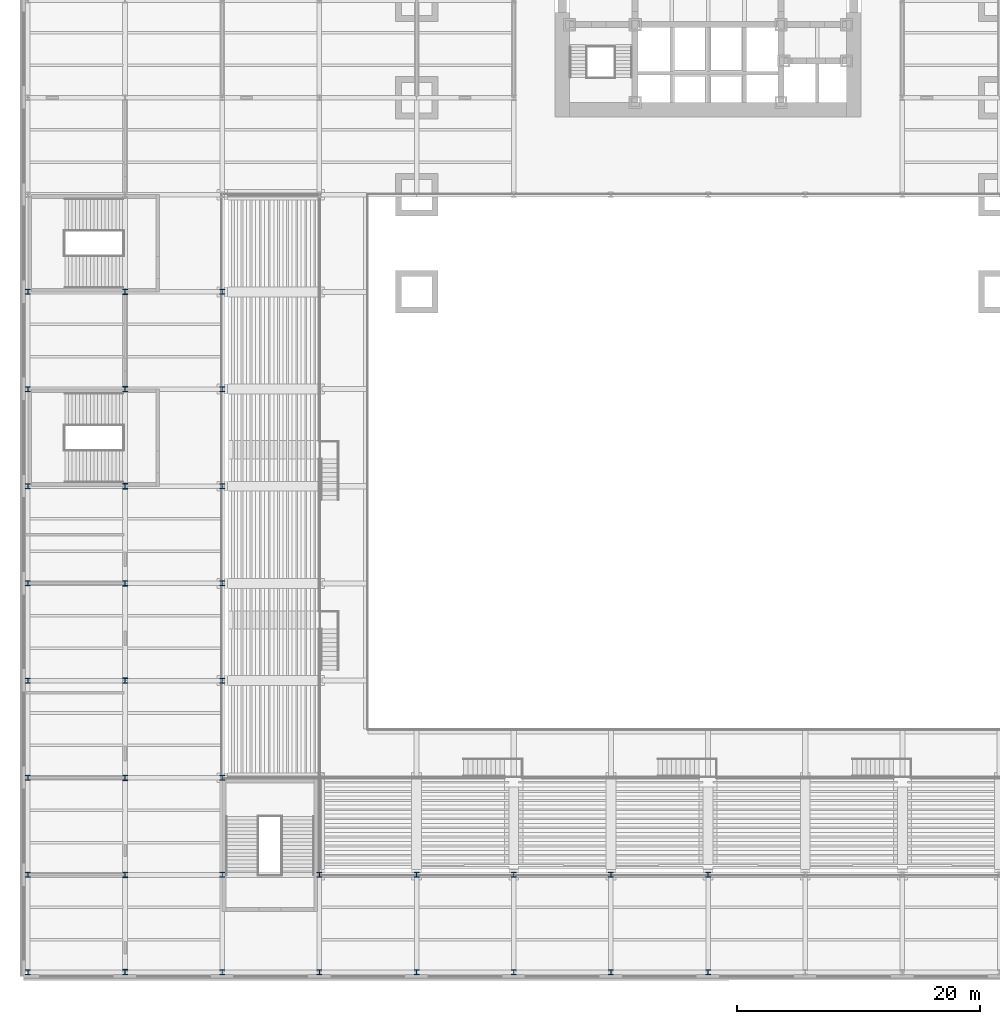
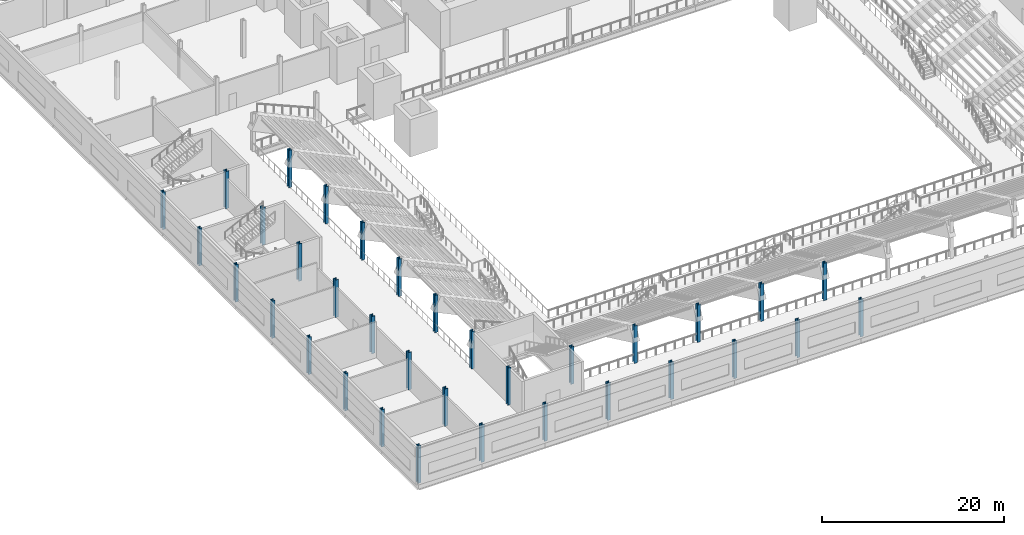
# One storey, part 1 of 27: 34 columns.
"""IFC4 building model written with IfcOpenShell, lengths in metres."""

import ifcopenshell
import ifcopenshell.guid

model = None  # the IFC model being written
_history = None  # IfcOwnerHistory: only IFC2X3 demands one
_inside = {}  # id of a spatial element -> (the spatial element, [elements in it])
_under = {}  # id of a project, library or spatial element -> (it, [spatial elements below it])
_declared = {}  # id of a project -> (the project, [libraries it declares])
_typed = {}  # id of a type object -> (the type object, [elements of that type])
_made_of = {}  # id of a material, layer set ... -> (it, [elements and type objects made of it])


def new_model(schema):
    """Start an empty IFC model of exactly this schema.

    Asked for "IFC4X3", IfcOpenShell would pick the latest addendum, in which some entities
    have other attributes; the version numbers below select the first issue.
    IFC2X3 requires an IfcOwnerHistory on every rooted entity: one is made here for all.
    """
    global model, _history
    if schema == "IFC4X3":
        model = ifcopenshell.file(schema_version=(4, 3, 0, 0))
    else:
        model = ifcopenshell.file(schema=schema)
    _inside.clear()
    _under.clear()
    _declared.clear()
    _typed.clear()
    _made_of.clear()
    _history = None
    if model.schema == "IFC2X3":
        org = make("IfcOrganization", Name="unknown")
        user = make(
            "IfcPersonAndOrganization",
            ThePerson=make("IfcPerson", FamilyName="unknown"),
            TheOrganization=org,
        )
        app = make(
            "IfcApplication",
            ApplicationDeveloper=org,
            Version="unknown",
            ApplicationFullName="unknown",
            ApplicationIdentifier="unknown",
        )
        _history = make(
            "IfcOwnerHistory",
            OwningUser=user,
            OwningApplication=app,
            ChangeAction="ADDED",
            CreationDate=0,
        )
    return model


def make(cls, **values):
    """One entity of the class cls with the attributes given. An attribute that is None is left unset."""
    return model.create_entity(
        cls, **{name: value for name, value in values.items() if value is not None}
    )


def rooted(cls, **values):
    """An entity with a GlobalId (a new one), such as an element, a storey or a relation."""
    return make(cls, GlobalId=ifcopenshell.guid.new(), OwnerHistory=_history, **values)


def si_unit(unit_type, name, prefix=None):
    """IfcSIUnit, for example si_unit("LENGTHUNIT", "METRE", prefix="MILLI")."""
    return make("IfcSIUnit", UnitType=unit_type, Prefix=prefix, Name=name)


def assignment(units):
    """IfcUnitAssignment: the units of a project."""
    return None if units is None else make("IfcUnitAssignment", Units=units)


def point(xyz):
    """IfcCartesianPoint."""
    return None if xyz is None else make("IfcCartesianPoint", Coordinates=xyz)


def direction(xyz):
    """IfcDirection."""
    return None if xyz is None else make("IfcDirection", DirectionRatios=xyz)


def frame(location, z_axis=None, x_axis=None):
    """IfcAxis2Placement3D, a coordinate frame: its origin and axes. An axis left out is left unset."""
    return make(
        "IfcAxis2Placement3D",
        Location=point(location),
        Axis=direction(z_axis),
        RefDirection=direction(x_axis),
    )


def frame_2d(location, x_axis=None):
    """IfcAxis2Placement2D, a coordinate frame in the plane: its origin and x axis."""
    return make(
        "IfcAxis2Placement2D", Location=point(location), RefDirection=direction(x_axis)
    )


def origin():
    """The frame at (0, 0, 0) with its axes left unset."""
    return frame((0.0, 0.0, 0.0))


def origin_2d():
    """The frame at (0, 0) in the plane with its x axis left unset."""
    return frame_2d((0.0, 0.0))


def place(relative_to, where):
    """IfcLocalPlacement: puts the frame where relative to a parent placement (None: the world)."""
    return make(
        "IfcLocalPlacement", PlacementRelTo=relative_to, RelativePlacement=where
    )


def context(
    kind, dimensions, precision=None, world=None, true_north=None, identifier=None
):
    """IfcGeometricRepresentationContext, for example the 3D "Model" context."""
    return make(
        "IfcGeometricRepresentationContext",
        ContextIdentifier=identifier,
        ContextType=kind,
        CoordinateSpaceDimension=dimensions,
        Precision=precision,
        WorldCoordinateSystem=world,
        TrueNorth=true_north,
    )


def subcontext(parent, identifier, kind, view, scale=None):
    """IfcGeometricRepresentationSubContext, for example "Body" below "Model"."""
    return make(
        "IfcGeometricRepresentationSubContext",
        ContextIdentifier=identifier,
        ContextType=kind,
        ParentContext=parent,
        TargetScale=scale,
        TargetView=view,
    )


def project(units=None, contexts=None):
    """IfcProject with its units and contexts."""
    return rooted(
        "IfcProject",
        Name="project",
        RepresentationContexts=contexts,
        UnitsInContext=assignment(units),
    )


def spatial(cls, under=None, at=None, **own):
    """A site, building, storey or space (cls), placed at a placement, below another one or the project."""
    s = rooted(cls, ObjectPlacement=at, **own)
    if under is not None:
        _under.setdefault(under.id(), (under, []))[1].append(s)
    return s


def profile(cls, at=None, kind="AREA", **sizes):
    """A parametric profile (cls). Its sizes go by their IFC names, for example OverallWidth=200.0."""
    return make(cls, ProfileType=kind, Position=at, **sizes)


def i_section(**sizes):
    """IfcIShapeProfileDef."""
    return profile("IfcIShapeProfileDef", **sizes)


def extrude(swept, where, along, depth):
    """IfcExtrudedAreaSolid: the profile swept, set in the frame where, extruded along a direction by depth."""
    return make(
        "IfcExtrudedAreaSolid",
        SweptArea=swept,
        Position=where,
        ExtrudedDirection=direction(along),
        Depth=depth,
    )


def shape(context_of_items, identifier, shape_type, items):
    """IfcShapeRepresentation: the items that make up one representation, for example the "Body"."""
    return make(
        "IfcShapeRepresentation",
        ContextOfItems=context_of_items,
        RepresentationIdentifier=identifier,
        RepresentationType=shape_type,
        Items=items,
    )


def material(Name=None, Category=None):
    """IfcMaterial."""
    return make("IfcMaterial", Name=Name, Category=Category)


def material_profile(
    of_material, cross_section, Name=None, Category=None, Priority=None
):
    """IfcMaterialProfile: a cross section and its material."""
    return make(
        "IfcMaterialProfile",
        Name=Name,
        Material=of_material,
        Profile=cross_section,
        Priority=Priority,
        Category=Category,
    )


def profile_set(profiles, Name=None, composite=None):
    """IfcMaterialProfileSet."""
    return make(
        "IfcMaterialProfileSet",
        Name=Name,
        MaterialProfiles=profiles,
        CompositeProfile=composite,
    )


def made_of(thing, what):
    """Note that an element or type object is made of a material, layer set ...; save() writes the relation."""
    if what is not None:
        _made_of.setdefault(what.id(), (what, []))[1].append(thing)
    return thing


def type_object(cls, material=None, **own):
    """A type object (cls), such as IfcWallType, which elements share."""
    return made_of(rooted(cls, **own), material)


def element(
    cls,
    number,
    at=None,
    inside=None,
    cuts=None,
    type_object=None,
    material=None,
    context=None,
    identifier="Body",
    shape_type=None,
    held_by="IfcProductDefinitionShape",
    body=None,
    shapes=None,
    **own,
):
    """One element of the class cls, such as IfcWall. Its Tag is "e" and its number.

    at: its placement. inside: the storey or other place that contains it. cuts: it is an
    opening in that element (IfcRelVoidsElement). A single representation is given by context,
    identifier, shape_type and body (its items); several are given by shapes. held_by: the class
    of the entity that holds the representations. save() writes the other relations.
    """
    e = rooted(cls, Tag="e%d" % number, ObjectPlacement=at, **own)
    if body is not None:
        shapes = [shape(context, identifier, shape_type, body)]
    if shapes is not None:
        e.Representation = make(held_by, Representations=shapes)
    if inside is not None:
        _inside.setdefault(inside.id(), (inside, []))[1].append(e)
    if cuts is not None:
        rooted(
            "IfcRelVoidsElement", RelatingBuildingElement=cuts, RelatedOpeningElement=e
        )
    if type_object is not None:
        _typed.setdefault(type_object.id(), (type_object, []))[1].append(e)
    return made_of(e, material)


def aggregate(whole, parts):
    """IfcRelAggregates: a whole, such as a stair, and the parts it consists of."""
    return rooted("IfcRelAggregates", RelatingObject=whole, RelatedObjects=parts)


def save(model, path):
    """Write the relations noted so far, then the file.

    IfcRelAggregates (storeys below a building ...), IfcRelContainedInSpatialStructure (elements
    in a storey), IfcRelDefinesByType, IfcRelAssociatesMaterial and IfcRelDeclares: one each for
    every whole, place, type object, material and project.
    """
    for whole, parts in _under.values():
        aggregate(whole, parts)
    for where, things in _inside.values():
        rooted(
            "IfcRelContainedInSpatialStructure",
            RelatedElements=things,
            RelatingStructure=where,
        )
    for kind, things in _typed.values():
        rooted("IfcRelDefinesByType", RelatedObjects=things, RelatingType=kind)
    for what, things in _made_of.values():
        rooted("IfcRelAssociatesMaterial", RelatedObjects=things, RelatingMaterial=what)
    for by, libraries in _declared.values():
        rooted("IfcRelDeclares", RelatingContext=by, RelatedDefinitions=libraries)
    model.write(path)


model = new_model("IFC4")

# Units and contexts
model_context = context("Model", 3, precision=1e-05, world=origin(), true_north=direction((0.0, 1.0)))
body_context = subcontext(model_context, "Body", "Model", "MODEL_VIEW")
ifc_project = project(units=[si_unit("LENGTHUNIT", "METRE"), si_unit("AREAUNIT", "SQUARE_METRE"), si_unit("VOLUMEUNIT", "CUBIC_METRE"), si_unit("PLANEANGLEUNIT", "RADIAN"), si_unit("MASSUNIT", "GRAM", prefix="KILO")], contexts=[model_context])

# Site, building, storey
site_placement = place(None, origin())
site = spatial("IfcSite", under=ifc_project, at=site_placement, CompositionType="ELEMENT")
building_placement = place(site_placement, origin())
building = spatial("IfcBuilding", under=site, at=building_placement, Name="Daluyong Arena Tower", CompositionType="ELEMENT")
storey_placement = place(building_placement, frame((0.0, 0.0, 14.89990234375)))
storey = spatial("IfcBuildingStorey", under=building, at=storey_placement, Name="L03", CompositionType="ELEMENT", Elevation=14.89990234375)

# Columns
ifc_material_1 = material(Name="Steel ASTM A913 Grade 65", Category="steel")
ifc_material_profile_1 = material_profile(ifc_material_1, i_section(OverallWidth=0.419189453125, OverallDepth=0.45458984375, WebThickness=0.042236328125, FlangeThickness=0.067626953125, at=origin_2d()))
ifc_profile_set_1 = profile_set([ifc_material_profile_1], Name="Steel ASTM A913 Grade 65")
column_type_1 = type_object("IfcColumnType", Name="Arena roof column W14X370", PredefinedType="COLUMN", material=ifc_profile_set_1)
for number, where, z_axis, x_axis, name in (
    (1, (8.0, 0.0, 0.0), (0.0, 0.0, 1.0), (1.0, 0.0, 0.0), "arena roof column AC1"),
    (2, (8.0, 8.0, 0.0), (0.0, 0.0, 1.0), (1.0, 0.0, 0.0), "arena roof column AC1"),
    (3, (8.0, 16.0, 0.0), (0.0, 0.0, 1.0), (1.0, 0.0, 0.0), "arena roof column AC1"),
    (4, (8.0, 24.0, 0.0), (0.0, 0.0, 1.0), (1.0, 0.0, 0.0), "arena roof column AC1"),
    (5, (8.0, 32.0, 0.0), (0.0, 0.0, 1.0), (1.0, 0.0, 0.0), "arena roof column AC1"),
    (6, (8.0, 40.0, 0.0), (0.0, 0.0, 1.0), (1.0, 0.0, 0.0), "arena roof column AC1"),
    (7, (8.0, 48.0, 0.0), (0.0, 0.0, 1.0), (1.0, 0.0, 0.0), "arena roof column AC1"),
    (8, (8.0, 56.0, 0.0), (0.0, 0.0, 1.0), (1.0, 0.0, 0.0), "arena roof column AC1"),
):
    element("IfcColumn", number, at=place(storey_placement, frame(where, z_axis=z_axis, x_axis=x_axis)), inside=storey, type_object=column_type_1, Name=name, PredefinedType="COLUMN", context=body_context, shape_type="SweptSolid", body=[
        extrude(i_section(OverallWidth=0.419189453125, OverallDepth=0.45458984375, WebThickness=0.042236328125, FlangeThickness=0.067626953125, at=origin_2d()), origin(), (0.0, 0.0, 1.0), 5.0),
    ])
ifc_material_2 = material(Name="Steel ASTM A992 Grade 50", Category="steel")
ifc_material_profile_2 = material_profile(ifc_material_2, i_section(OverallWidth=0.406494140625, OverallDepth=0.41650390625, WebThickness=0.030029296875, FlangeThickness=0.048095703125, at=origin_2d()))
ifc_profile_set_2 = profile_set([ifc_material_profile_2], Name="Steel ASTM A992 Grade 50")
column_type_2 = type_object("IfcColumnType", Name="Podium column W14X257", PredefinedType="COLUMN", material=ifc_profile_set_2)
for number, where, z_axis, x_axis, name in (
    (9, (0.0, 0.0, 0.0), (0.0, 0.0, 1.0), (1.0, 0.0, 0.0), "podium column PC2"),
    (10, (0.0, 8.0, 0.0), (0.0, 0.0, 1.0), (1.0, 0.0, 0.0), "podium column PC2"),
    (11, (0.0, 16.0, 0.0), (0.0, 0.0, 1.0), (1.0, 0.0, 0.0), "podium column PC2"),
    (12, (0.0, 24.0, 0.0), (0.0, 0.0, 1.0), (1.0, 0.0, 0.0), "podium column PC2"),
    (13, (0.0, 32.0, 0.0), (0.0, 0.0, 1.0), (1.0, 0.0, 0.0), "podium column PC2"),
    (14, (0.0, 40.0, 0.0), (0.0, 0.0, 1.0), (1.0, 0.0, 0.0), "podium column PC2"),
    (15, (0.0, 48.0, 0.0), (0.0, 0.0, 1.0), (1.0, 0.0, 0.0), "podium column PC2"),
    (16, (0.0, 56.0, 0.0), (0.0, 0.0, 1.0), (1.0, 0.0, 0.0), "podium column PC2"),
    (17, (16.0, 0.0, 0.0), (0.0, 0.0, 1.0), (1.0, 0.0, 0.0), "podium column PC2"),
    (18, (16.0, 8.0, 0.0), (0.0, 0.0, 1.0), (1.0, 0.0, 0.0), "podium column PC2"),
    (19, (16.0, 16.0, 0.0), (0.0, 0.0, 1.0), (1.0, 0.0, 0.0), "podium column PC2"),
    (20, (16.0, 24.0, 0.0), (0.0, 0.0, 1.0), (1.0, 0.0, 0.0), "podium column PC2"),
    (21, (16.0, 32.0, 0.0), (0.0, 0.0, 1.0), (1.0, 0.0, 0.0), "podium column PC2"),
    (22, (16.0, 40.0, 0.0), (0.0, 0.0, 1.0), (1.0, 0.0, 0.0), "podium column PC2"),
    (23, (16.0, 48.0, 0.0), (0.0, 0.0, 1.0), (1.0, 0.0, 0.0), "podium column PC2"),
    (24, (16.0, 56.0, 0.0), (0.0, 0.0, 1.0), (1.0, 0.0, 0.0), "podium column PC2"),
    (25, (24.0, 0.0, 0.0), (0.0, 0.0, 1.0), (1.0, 0.0, 0.0), "podium column PC2"),
    (26, (24.0, 8.0, 0.0), (0.0, 0.0, 1.0), (1.0, 0.0, 0.0), "podium column PC2"),
    (27, (32.0, 0.0, 0.0), (0.0, 0.0, 1.0), (1.0, 0.0, 0.0), "podium column PC2"),
    (28, (32.0, 8.0, 0.0), (0.0, 0.0, 1.0), (1.0, 0.0, 0.0), "podium column PC2"),
    (29, (40.0, 0.0, 0.0), (0.0, 0.0, 1.0), (1.0, 0.0, 0.0), "podium column PC2"),
    (30, (40.0, 8.0, 0.0), (0.0, 0.0, 1.0), (1.0, 0.0, 0.0), "podium column PC2"),
    (31, (48.0, 0.0, 0.0), (0.0, 0.0, 1.0), (1.0, 0.0, 0.0), "podium column PC2"),
    (32, (48.0, 8.0, 0.0), (0.0, 0.0, 1.0), (1.0, 0.0, 0.0), "podium column PC2"),
    (33, (56.0, 0.0, 0.0), (0.0, 0.0, 1.0), (1.0, 0.0, 0.0), "podium column PC2"),
    (34, (56.0, 8.0, 0.0), (0.0, 0.0, 1.0), (1.0, 0.0, 0.0), "podium column PC2"),
):
    element("IfcColumn", number, at=place(storey_placement, frame(where, z_axis=z_axis, x_axis=x_axis)), inside=storey, type_object=column_type_2, Name=name, PredefinedType="COLUMN", context=body_context, shape_type="SweptSolid", body=[
        extrude(i_section(OverallWidth=0.406494140625, OverallDepth=0.41650390625, WebThickness=0.030029296875, FlangeThickness=0.048095703125, at=origin_2d()), origin(), (0.0, 0.0, 1.0), 5.0),
    ])

save(model, "model.ifc")
